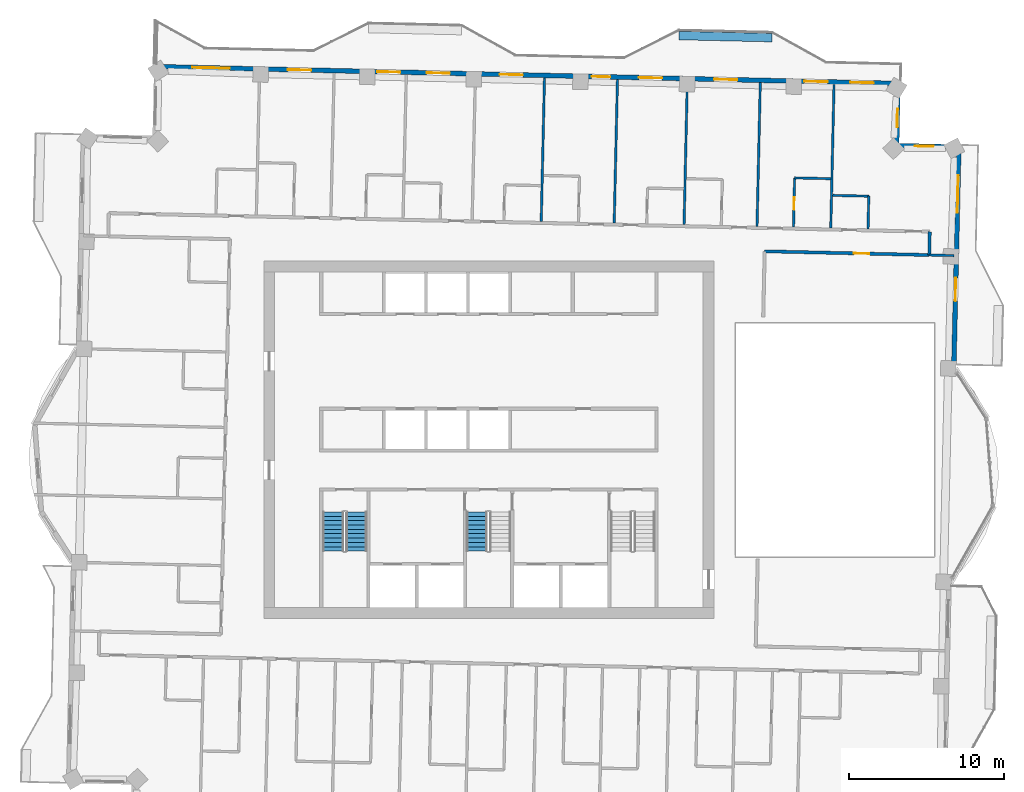
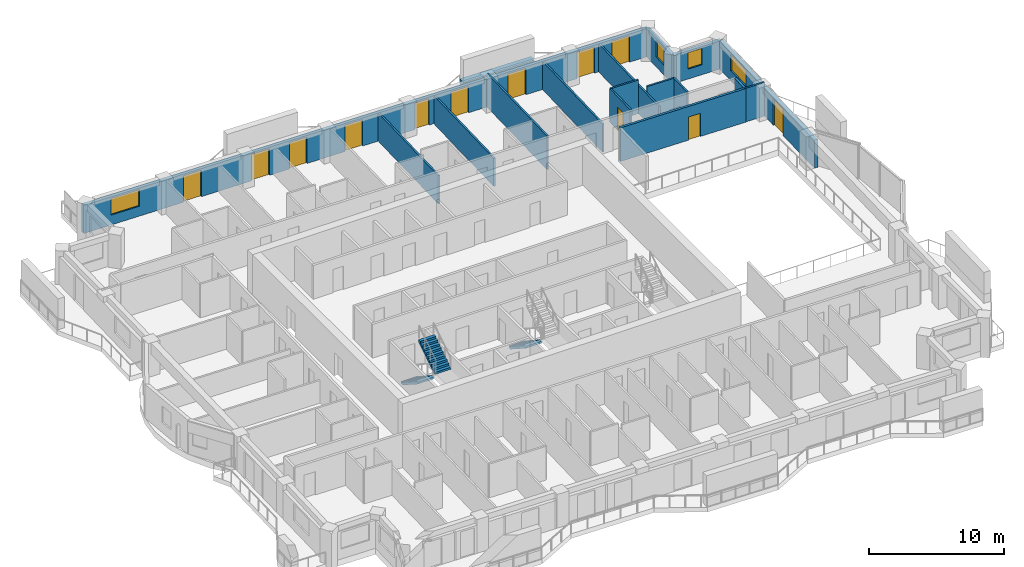
# One storey, part 12 of 17: 17 walls, 12 doors, 4 windows, 3 stair flights, 16 openings, 2 elements without a shape of their own.
"""IFC4 building model written with IfcOpenShell, lengths in metres."""

from ifc_helpers import new_model, si_unit, direction, frame, frame_2d, origin, place, context, subcontext, project, spatial, polyline, rectangle, outline, extrude, material, layer, layer_set, type_object, element, fill, aggregate, save


model = new_model("IFC4")

# Units and contexts
model_context = context("Model", 3, precision=1e-05, world=origin(), true_north=direction((0.0, 1.0)))
body_context = subcontext(model_context, "Body", "Model", "MODEL_VIEW")
ifc_project = project(units=[si_unit("LENGTHUNIT", "METRE"), si_unit("AREAUNIT", "SQUARE_METRE"), si_unit("VOLUMEUNIT", "CUBIC_METRE"), si_unit("PLANEANGLEUNIT", "RADIAN"), si_unit("MASSUNIT", "GRAM", prefix="KILO")], contexts=[model_context])

# Site, building, storey
site_placement = place(None, origin())
site = spatial("IfcSite", under=ifc_project, at=site_placement, CompositionType="ELEMENT")
building_placement = place(site_placement, origin())
building = spatial("IfcBuilding", under=site, at=building_placement, Name="Mangrove Gate Tower", CompositionType="ELEMENT")
storey_placement = place(building_placement, frame((0.0, 0.0, 257.300048828125)))
storey = spatial("IfcBuildingStorey", under=building, at=storey_placement, Name="L65", CompositionType="ELEMENT", Elevation=257.300048828125)

# Wall, opening, door
ifc_material_1 = material(Name="Gypsum board on steel stud, EI 60", Category="steel")
ifc_layer_1 = layer(ifc_material_1, 0.199951171875)
ifc_layer_set_1 = layer_set([ifc_layer_1], Name="Corridor wall EI 60")
wall_type_1 = type_object("IfcWallType", Name="Corridor wall EI 60", PredefinedType="PARTITIONING", material=ifc_layer_set_1)
wall_1_placement = place(storey_placement, frame((17.7529296875, 12.136962890625, 0.0), z_axis=(0.0, 0.0, 1.0), x_axis=(0.999743663474, -0.022640833553, 0.0)))
wall_1 = element("IfcWall", 1, at=wall_1_placement, inside=storey, type_object=wall_type_1, Name="WALL-L65-057", PredefinedType="PARTITIONING", context=body_context, shape_type="SweptSolid", body=[
    extrude(rectangle(XDim=10.599853515625, YDim=0.199951171875, at=frame_2d((5.2998046875, 0.0))), origin(), (0.0, 0.0, 1.0), 3.050048828125),
])
opening_1_placement = place(wall_1_placement, frame((5.75, 0.0, 0.0)))
opening_1 = element("IfcOpeningElement", 2, at=opening_1_placement, cuts=wall_1, Name="Opening AD", PredefinedType="OPENING", context=body_context, shape_type="SweptSolid", body=[
    extrude(rectangle(XDim=1.0, YDim=2.10009765625, at=frame_2d((0.5, 1.050048828125))), frame((0.0, 0.10986328125, 0.0), z_axis=(0.0, -1.0, 0.0), x_axis=(1.0, 0.0, 0.0)), (0.0, 0.0, 1.0), 0.219970703125),
])
ifc_material_2 = material(Name="Timber door leaf", Category="wood")
door_type_1 = type_object("IfcDoorType", Name="Amenity door 1000", OperationType="SINGLE_SWING_LEFT", PredefinedType="DOOR", material=ifc_material_2)
door_1_placement = place(opening_1_placement, origin())
door_1 = element("IfcDoor", 3, at=door_1_placement, inside=storey, type_object=door_type_1, Name="DOOR-L65-LNG-c3b", OperationType="SINGLE_SWING_RIGHT", OverallHeight=2.10009765625, OverallWidth=1.0, PredefinedType="DOOR", context=body_context, shape_type="SweptSolid", body=[
    extrude(rectangle(XDim=1.0, YDim=2.10009765625, at=frame_2d((0.5, 1.050048828125))), frame((0.0, 0.02490234375, 0.0), z_axis=(0.0, -1.0, 0.0), x_axis=(1.0, 0.0, 0.0)), (0.0, 0.0, 1.0), 0.050048828125),
])
fill(opening_1, door_1)

# Wall
wall_2_placement = place(storey_placement, frame((28.35400390625, 11.89697265625, 0.0), z_axis=(0.0, 0.0, 1.0), x_axis=(0.022632637625, 0.99974384905, 0.0)))
element("IfcWall", 4, at=wall_2_placement, inside=storey, type_object=wall_type_1, Name="WALL-L65-059", PredefinedType="PARTITIONING", context=body_context, shape_type="SweptSolid", body=[
    extrude(rectangle(XDim=1.49951171875, YDim=0.199951171875, at=frame_2d((0.749755859375, 0.0))), origin(), (0.0, 0.0, 1.0), 3.050048828125),
])

# Wall, openings, door, window
ifc_material_3 = material(Name="Limestone", Category="masonry")
ifc_layer_2 = layer(ifc_material_3, 0.0400390625, Name="Limestone cladding")
ifc_material_4 = material(Name="Ventilated air gap")
ifc_layer_3 = layer(ifc_material_4, 0.0400390625, Name="Ventilated cavity")
ifc_material_5 = material(Name="Mineral wool insulation")
ifc_layer_4 = layer(ifc_material_5, 0.06005859375, Name="Insulation")
ifc_material_6 = material(Name="Breather membrane")
ifc_layer_5 = layer(ifc_material_6, 0.001953125, Name="Breather membrane")
ifc_material_7 = material(Name="Concrete C20/25 blockwork", Category="masonry")
ifc_layer_6 = layer(ifc_material_7, 0.14990234375, Name="Blockwork backing wall")
ifc_material_8 = material(Name="Gypsum plaster")
ifc_layer_7 = layer(ifc_material_8, 0.008056640625, Name="Internal plaster")
ifc_layer_set_2 = layer_set([ifc_layer_2, ifc_layer_3, ifc_layer_4, ifc_layer_5, ifc_layer_6, ifc_layer_7], Name="External wall 300 limestone cladding")
wall_type_2 = type_object("IfcWallType", Name="External wall 300 limestone cladding", PredefinedType="SOLIDWALL", material=ifc_layer_set_2)
wall_3_placement = place(storey_placement, frame((29.923095703125, 4.0849609375, 0.0), z_axis=(0.0, 0.0, 1.0), x_axis=(0.022738672774, 0.999741442954, 0.0)))
wall_3 = element("IfcWall", 5, at=wall_3_placement, inside=storey, type_object=wall_type_2, Name="WALL-L65-E2s1", PredefinedType="SOLIDWALL", context=body_context, shape_type="SweptSolid", body=[
    extrude(rectangle(XDim=14.77392578125, YDim=0.300048828125, at=frame_2d((7.386962890625, 0.0))), origin(), (0.0, 0.0, 1.0), 2.550048828125),
])
opening_2_placement = place(wall_3_placement, frame((4.85302734375, 0.0, 0.0)))
opening_2 = element("IfcOpeningElement", 6, at=opening_2_placement, cuts=wall_3, Name="Opening BD1", PredefinedType="OPENING", context=body_context, shape_type="SweptSolid", body=[
    extrude(rectangle(XDim=1.5, YDim=2.39990234375, at=frame_2d((0.75, 1.199951171875))), frame((0.0, 0.159912109375, 0.0), z_axis=(0.0, -1.0, 0.0), x_axis=(1.0, 0.0, 0.0)), (0.0, 0.0, 1.0), 0.320068359375),
])
opening_3_placement = place(wall_3_placement, frame((10.5380859375, 0.0, 0.89990234375)))
opening_3 = element("IfcOpeningElement", 7, at=opening_3_placement, cuts=wall_3, Name="Opening W2", PredefinedType="OPENING", context=body_context, shape_type="SweptSolid", body=[
    extrude(rectangle(XDim=2.39990234375, YDim=1.5, at=frame_2d((1.199951171875, 0.75))), frame((0.0, 0.159912109375, 0.0), z_axis=(0.0, -1.0, 0.0), x_axis=(1.0, 0.0, 0.0)), (0.0, 0.0, 1.0), 0.320068359375),
])
ifc_material_9 = material(Name="Aluminium frame with laminated clear glass", Category="aluminium")
door_type_2 = type_object("IfcDoorType", Name="Balcony sliding door 1500x2400", OperationType="SLIDING_TO_LEFT", PredefinedType="DOOR", material=ifc_material_9)
door_2_placement = place(opening_2_placement, origin())
door_2 = element("IfcDoor", 8, at=door_2_placement, inside=storey, type_object=door_type_2, Name="DOOR-L65-E2-1", OperationType="SLIDING_TO_LEFT", OverallHeight=2.39990234375, OverallWidth=1.5, PredefinedType="DOOR", context=body_context, shape_type="SweptSolid", body=[
    extrude(rectangle(XDim=1.5, YDim=2.39990234375, at=frame_2d((0.75, 1.199951171875))), frame((0.0, 0.02490234375, 0.0), z_axis=(0.0, -1.0, 0.0), x_axis=(1.0, 0.0, 0.0)), (0.0, 0.0, 1.0), 0.050048828125),
])
fill(opening_2, door_2)
ifc_material_10 = material(Name="Aluminium frame with double-glazed low-e glass", Category="aluminium")
window_type_1 = type_object("IfcWindowType", Name="Corner room window 2400x1500", PartitioningType="DOUBLE_PANEL_VERTICAL", PredefinedType="WINDOW", material=ifc_material_10)
window_1_placement = place(opening_3_placement, origin())
window_1 = element("IfcWindow", 9, at=window_1_placement, inside=storey, type_object=window_type_1, Name="WIN-L65-E2-2", OverallHeight=1.5, OverallWidth=2.39990234375, PartitioningType="DOUBLE_PANEL_VERTICAL", PredefinedType="WINDOW", context=body_context, shape_type="SweptSolid", body=[
    extrude(rectangle(XDim=2.39990234375, YDim=1.5, at=frame_2d((1.199951171875, 0.75))), frame((0.0, 0.030029296875, 0.0), z_axis=(0.0, -1.0, 0.0), x_axis=(1.0, 0.0, 0.0)), (0.0, 0.0, 1.0), 0.06005859375),
])
fill(opening_3, window_1)

# Wall, opening, window
wall_4_placement = place(storey_placement, frame((30.259033203125, 18.85498046875, 0.0), z_axis=(0.0, 0.0, 1.0), x_axis=(-0.999740826251, 0.022765770952, 0.0)))
wall_4 = element("IfcWall", 10, at=wall_4_placement, inside=storey, type_object=wall_type_2, Name="WALL-L65-N3", PredefinedType="SOLIDWALL", context=body_context, shape_type="SweptSolid", body=[
    extrude(rectangle(XDim=4.0, YDim=0.300048828125, at=frame_2d((2.0, 0.0))), origin(), (0.0, 0.0, 1.0), 2.550048828125),
])
opening_4_placement = place(wall_4_placement, frame((1.632080078125, 0.0, 0.89990234375)))
opening_4 = element("IfcOpeningElement", 11, at=opening_4_placement, cuts=wall_4, Name="Opening W1", PredefinedType="OPENING", context=body_context, shape_type="SweptSolid", body=[
    extrude(rectangle(XDim=1.199951171875, YDim=1.5, at=frame_2d((0.60009765625, 0.75))), frame((0.0, 0.159912109375, 0.0), z_axis=(0.0, -1.0, 0.0), x_axis=(1.0, 0.0, 0.0)), (0.0, 0.0, 1.0), 0.320068359375),
])
ifc_material_11 = material(Name="Aluminium frame with double-glazed low-e glass", Category="aluminium")
window_type_2 = type_object("IfcWindowType", Name="Side lite 1200x1500", PartitioningType="SINGLE_PANEL", PredefinedType="WINDOW", material=ifc_material_11)
window_2_placement = place(opening_4_placement, origin())
window_2 = element("IfcWindow", 12, at=window_2_placement, inside=storey, type_object=window_type_2, Name="WIN-L65-N3-1", OverallHeight=1.5, OverallWidth=1.199951171875, PartitioningType="SINGLE_PANEL", PredefinedType="WINDOW", context=body_context, shape_type="SweptSolid", body=[
    extrude(rectangle(XDim=1.199951171875, YDim=1.5, at=frame_2d((0.60009765625, 0.75))), frame((0.0, 0.030029296875, 0.0), z_axis=(0.0, -1.0, 0.0), x_axis=(1.0, 0.0, 0.0)), (0.0, 0.0, 1.0), 0.06005859375),
])
fill(opening_4, window_2)

wall_5_placement = place(storey_placement, frame((26.260009765625, 18.946044921875, 0.0), z_axis=(0.0, 0.0, 1.0), x_axis=(0.022521758502, 0.999746353029, 0.0)))
wall_5 = element("IfcWall", 13, at=wall_5_placement, inside=storey, type_object=wall_type_2, Name="WALL-L65-E4", PredefinedType="SOLIDWALL", context=body_context, shape_type="SweptSolid", body=[
    extrude(rectangle(XDim=4.0, YDim=0.300048828125, at=frame_2d((2.0, 0.0))), origin(), (0.0, 0.0, 1.0), 2.550048828125),
])
opening_5_placement = place(wall_5_placement, frame((1.1689453125, 0.0, 0.89990234375)))
opening_5 = element("IfcOpeningElement", 14, at=opening_5_placement, cuts=wall_5, Name="Opening W1", PredefinedType="OPENING", context=body_context, shape_type="SweptSolid", body=[
    extrude(rectangle(XDim=1.199951171875, YDim=1.5, at=frame_2d((0.60009765625, 0.75))), frame((0.0, 0.159912109375, 0.0), z_axis=(0.0, -1.0, 0.0), x_axis=(1.0, 0.0, 0.0)), (0.0, 0.0, 1.0), 0.320068359375),
])
window_3_placement = place(opening_5_placement, origin())
window_3 = element("IfcWindow", 15, at=window_3_placement, inside=storey, type_object=window_type_2, Name="WIN-L65-E4-1", OverallHeight=1.5, OverallWidth=1.199951171875, PartitioningType="SINGLE_PANEL", PredefinedType="WINDOW", context=body_context, shape_type="SweptSolid", body=[
    extrude(rectangle(XDim=1.199951171875, YDim=1.5, at=frame_2d((0.60009765625, 0.75))), frame((0.0, 0.030029296875, 0.0), z_axis=(0.0, -1.0, 0.0), x_axis=(1.0, 0.0, 0.0)), (0.0, 0.0, 1.0), 0.06005859375),
])
fill(opening_5, window_3)

# Wall, openings, doors, window
wall_6_placement = place(storey_placement, frame((26.35009765625, 22.945068359375, 0.0), z_axis=(0.0, 0.0, 1.0), x_axis=(-0.999742523712, 0.022691105788, 0.0)))
wall_6 = element("IfcWall", 16, at=wall_6_placement, inside=storey, type_object=wall_type_2, Name="WALL-L65-N5", PredefinedType="SOLIDWALL", context=body_context, shape_type="SweptSolid", body=[
    extrude(rectangle(XDim=47.771240234375, YDim=0.300048828125, at=frame_2d((23.8857421875, 0.0))), origin(), (0.0, 0.0, 1.0), 2.550048828125),
])
opening_6_placement = place(wall_6_placement, frame((1.577880859375, 0.0, 0.0)))
opening_6 = element("IfcOpeningElement", 17, at=opening_6_placement, cuts=wall_6, Name="Opening BD1", PredefinedType="OPENING", context=body_context, shape_type="SweptSolid", body=[
    extrude(rectangle(XDim=1.5, YDim=2.39990234375, at=frame_2d((0.75, 1.199951171875))), frame((0.0, 0.159912109375, 0.0), z_axis=(0.0, -1.0, 0.0), x_axis=(1.0, 0.0, 0.0)), (0.0, 0.0, 1.0), 0.320068359375),
])
opening_7_placement = place(wall_6_placement, frame((4.544921875, 0.0, 0.0)))
opening_7 = element("IfcOpeningElement", 18, at=opening_7_placement, cuts=wall_6, Name="Opening BD1", PredefinedType="OPENING", context=body_context, shape_type="SweptSolid", body=[
    extrude(rectangle(XDim=1.5, YDim=2.39990234375, at=frame_2d((0.75, 1.199951171875))), frame((0.0, 0.159912109375, 0.0), z_axis=(0.0, -1.0, 0.0), x_axis=(1.0, 0.0, 0.0)), (0.0, 0.0, 1.0), 0.320068359375),
])
opening_8_placement = place(wall_6_placement, frame((10.35400390625, 0.0, 0.0)))
opening_8 = element("IfcOpeningElement", 19, at=opening_8_placement, cuts=wall_6, Name="Opening BD1", PredefinedType="OPENING", context=body_context, shape_type="SweptSolid", body=[
    extrude(rectangle(XDim=1.5, YDim=2.39990234375, at=frame_2d((0.75, 1.199951171875))), frame((0.0, 0.159912109375, 0.0), z_axis=(0.0, -1.0, 0.0), x_axis=(1.0, 0.0, 0.0)), (0.0, 0.0, 1.0), 0.320068359375),
])
opening_9_placement = place(wall_6_placement, frame((15.2041015625, 0.0, 0.0)))
opening_9 = element("IfcOpeningElement", 20, at=opening_9_placement, cuts=wall_6, Name="Opening BD1", PredefinedType="OPENING", context=body_context, shape_type="SweptSolid", body=[
    extrude(rectangle(XDim=1.5, YDim=2.39990234375, at=frame_2d((0.75, 1.199951171875))), frame((0.0, 0.159912109375, 0.0), z_axis=(0.0, -1.0, 0.0), x_axis=(1.0, 0.0, 0.0)), (0.0, 0.0, 1.0), 0.320068359375),
])
opening_10_placement = place(wall_6_placement, frame((18.537109375, 0.0, 0.0)))
opening_10 = element("IfcOpeningElement", 21, at=opening_10_placement, cuts=wall_6, Name="Opening BD2", PredefinedType="OPENING", context=body_context, shape_type="SweptSolid", body=[
    extrude(rectangle(XDim=1.199951171875, YDim=2.39990234375, at=frame_2d((0.60009765625, 1.199951171875))), frame((0.0, 0.159912109375, 0.0), z_axis=(0.0, -1.0, 0.0), x_axis=(1.0, 0.0, 0.0)), (0.0, 0.0, 1.0), 0.320068359375),
])
opening_11_placement = place(wall_6_placement, frame((24.1708984375, 0.0, 0.0)))
opening_11 = element("IfcOpeningElement", 22, at=opening_11_placement, cuts=wall_6, Name="Opening BD1", PredefinedType="OPENING", context=body_context, shape_type="SweptSolid", body=[
    extrude(rectangle(XDim=1.5, YDim=2.39990234375, at=frame_2d((0.75, 1.199951171875))), frame((0.0, 0.159912109375, 0.0), z_axis=(0.0, -1.0, 0.0), x_axis=(1.0, 0.0, 0.0)), (0.0, 0.0, 1.0), 0.320068359375),
])
opening_12_placement = place(wall_6_placement, frame((28.87109375, 0.0, 0.0)))
opening_12 = element("IfcOpeningElement", 23, at=opening_12_placement, cuts=wall_6, Name="Opening BD1", PredefinedType="OPENING", context=body_context, shape_type="SweptSolid", body=[
    extrude(rectangle(XDim=1.5, YDim=2.39990234375, at=frame_2d((0.75, 1.199951171875))), frame((0.0, 0.159912109375, 0.0), z_axis=(0.0, -1.0, 0.0), x_axis=(1.0, 0.0, 0.0)), (0.0, 0.0, 1.0), 0.320068359375),
])
opening_13_placement = place(wall_6_placement, frame((32.054931640625, 0.0, 0.0)))
opening_13 = element("IfcOpeningElement", 24, at=opening_13_placement, cuts=wall_6, Name="Opening BD1", PredefinedType="OPENING", context=body_context, shape_type="SweptSolid", body=[
    extrude(rectangle(XDim=1.5, YDim=2.39990234375, at=frame_2d((0.75, 1.199951171875))), frame((0.0, 0.159912109375, 0.0), z_axis=(0.0, -1.0, 0.0), x_axis=(1.0, 0.0, 0.0)), (0.0, 0.0, 1.0), 0.320068359375),
])
opening_14_placement = place(wall_6_placement, frame((37.81298828125, 0.0, 0.0)))
opening_14 = element("IfcOpeningElement", 25, at=opening_14_placement, cuts=wall_6, Name="Opening BD1", PredefinedType="OPENING", context=body_context, shape_type="SweptSolid", body=[
    extrude(rectangle(XDim=1.5, YDim=2.39990234375, at=frame_2d((0.75, 1.199951171875))), frame((0.0, 0.159912109375, 0.0), z_axis=(0.0, -1.0, 0.0), x_axis=(1.0, 0.0, 0.0)), (0.0, 0.0, 1.0), 0.320068359375),
])
opening_15_placement = place(wall_6_placement, frame((43.052001953125, 0.0, 0.89990234375)))
opening_15 = element("IfcOpeningElement", 26, at=opening_15_placement, cuts=wall_6, Name="Opening W2", PredefinedType="OPENING", context=body_context, shape_type="SweptSolid", body=[
    extrude(rectangle(XDim=2.39990234375, YDim=1.5, at=frame_2d((1.199951171875, 0.75))), frame((0.0, 0.159912109375, 0.0), z_axis=(0.0, -1.0, 0.0), x_axis=(1.0, 0.0, 0.0)), (0.0, 0.0, 1.0), 0.320068359375),
])
ifc_material_12 = material(Name="Aluminium frame with laminated clear glass", Category="aluminium")
door_type_3 = type_object("IfcDoorType", Name="Balcony sliding door 1200x2400", OperationType="SLIDING_TO_LEFT", PredefinedType="DOOR", material=ifc_material_12)
door_3_placement = place(opening_10_placement, origin())
door_3 = element("IfcDoor", 27, at=door_3_placement, inside=storey, type_object=door_type_3, Name="DOOR-L65-N5-5", OperationType="SLIDING_TO_LEFT", OverallHeight=2.39990234375, OverallWidth=1.199951171875, PredefinedType="DOOR", context=body_context, shape_type="SweptSolid", body=[
    extrude(rectangle(XDim=1.199951171875, YDim=2.39990234375, at=frame_2d((0.60009765625, 1.199951171875))), frame((0.0, 0.02490234375, 0.0), z_axis=(0.0, -1.0, 0.0), x_axis=(1.0, 0.0, 0.0)), (0.0, 0.0, 1.0), 0.050048828125),
])
fill(opening_10, door_3)
door_4_placement = place(opening_6_placement, origin())
door_4 = element("IfcDoor", 28, at=door_4_placement, inside=storey, type_object=door_type_2, Name="DOOR-L65-N5-1", OperationType="SLIDING_TO_LEFT", OverallHeight=2.39990234375, OverallWidth=1.5, PredefinedType="DOOR", context=body_context, shape_type="SweptSolid", body=[
    extrude(rectangle(XDim=1.5, YDim=2.39990234375, at=frame_2d((0.75, 1.199951171875))), frame((0.0, 0.02490234375, 0.0), z_axis=(0.0, -1.0, 0.0), x_axis=(1.0, 0.0, 0.0)), (0.0, 0.0, 1.0), 0.050048828125),
])
fill(opening_6, door_4)
door_5_placement = place(opening_7_placement, origin())
door_5 = element("IfcDoor", 29, at=door_5_placement, inside=storey, type_object=door_type_2, Name="DOOR-L65-N5-2", OperationType="SLIDING_TO_LEFT", OverallHeight=2.39990234375, OverallWidth=1.5, PredefinedType="DOOR", context=body_context, shape_type="SweptSolid", body=[
    extrude(rectangle(XDim=1.5, YDim=2.39990234375, at=frame_2d((0.75, 1.199951171875))), frame((0.0, 0.02490234375, 0.0), z_axis=(0.0, -1.0, 0.0), x_axis=(1.0, 0.0, 0.0)), (0.0, 0.0, 1.0), 0.050048828125),
])
fill(opening_7, door_5)
door_6_placement = place(opening_8_placement, origin())
door_6 = element("IfcDoor", 30, at=door_6_placement, inside=storey, type_object=door_type_2, Name="DOOR-L65-N5-3", OperationType="SLIDING_TO_LEFT", OverallHeight=2.39990234375, OverallWidth=1.5, PredefinedType="DOOR", context=body_context, shape_type="SweptSolid", body=[
    extrude(rectangle(XDim=1.5, YDim=2.39990234375, at=frame_2d((0.75, 1.199951171875))), frame((0.0, 0.02490234375, 0.0), z_axis=(0.0, -1.0, 0.0), x_axis=(1.0, 0.0, 0.0)), (0.0, 0.0, 1.0), 0.050048828125),
])
fill(opening_8, door_6)
door_7_placement = place(opening_9_placement, origin())
door_7 = element("IfcDoor", 31, at=door_7_placement, inside=storey, type_object=door_type_2, Name="DOOR-L65-N5-4", OperationType="SLIDING_TO_LEFT", OverallHeight=2.39990234375, OverallWidth=1.5, PredefinedType="DOOR", context=body_context, shape_type="SweptSolid", body=[
    extrude(rectangle(XDim=1.5, YDim=2.39990234375, at=frame_2d((0.75, 1.199951171875))), frame((0.0, 0.02490234375, 0.0), z_axis=(0.0, -1.0, 0.0), x_axis=(1.0, 0.0, 0.0)), (0.0, 0.0, 1.0), 0.050048828125),
])
fill(opening_9, door_7)
door_8_placement = place(opening_11_placement, origin())
door_8 = element("IfcDoor", 32, at=door_8_placement, inside=storey, type_object=door_type_2, Name="DOOR-L65-N5-6", OperationType="SLIDING_TO_LEFT", OverallHeight=2.39990234375, OverallWidth=1.5, PredefinedType="DOOR", context=body_context, shape_type="SweptSolid", body=[
    extrude(rectangle(XDim=1.5, YDim=2.39990234375, at=frame_2d((0.75, 1.199951171875))), frame((0.0, 0.02490234375, 0.0), z_axis=(0.0, -1.0, 0.0), x_axis=(1.0, 0.0, 0.0)), (0.0, 0.0, 1.0), 0.050048828125),
])
fill(opening_11, door_8)
door_9_placement = place(opening_12_placement, origin())
door_9 = element("IfcDoor", 33, at=door_9_placement, inside=storey, type_object=door_type_2, Name="DOOR-L65-N5-7", OperationType="SLIDING_TO_LEFT", OverallHeight=2.39990234375, OverallWidth=1.5, PredefinedType="DOOR", context=body_context, shape_type="SweptSolid", body=[
    extrude(rectangle(XDim=1.5, YDim=2.39990234375, at=frame_2d((0.75, 1.199951171875))), frame((0.0, 0.02490234375, 0.0), z_axis=(0.0, -1.0, 0.0), x_axis=(1.0, 0.0, 0.0)), (0.0, 0.0, 1.0), 0.050048828125),
])
fill(opening_12, door_9)
door_10_placement = place(opening_13_placement, origin())
door_10 = element("IfcDoor", 34, at=door_10_placement, inside=storey, type_object=door_type_2, Name="DOOR-L65-N5-8", OperationType="SLIDING_TO_LEFT", OverallHeight=2.39990234375, OverallWidth=1.5, PredefinedType="DOOR", context=body_context, shape_type="SweptSolid", body=[
    extrude(rectangle(XDim=1.5, YDim=2.39990234375, at=frame_2d((0.75, 1.199951171875))), frame((0.0, 0.02490234375, 0.0), z_axis=(0.0, -1.0, 0.0), x_axis=(1.0, 0.0, 0.0)), (0.0, 0.0, 1.0), 0.050048828125),
])
fill(opening_13, door_10)
door_11_placement = place(opening_14_placement, origin())
door_11 = element("IfcDoor", 35, at=door_11_placement, inside=storey, type_object=door_type_2, Name="DOOR-L65-N5-9", OperationType="SLIDING_TO_LEFT", OverallHeight=2.39990234375, OverallWidth=1.5, PredefinedType="DOOR", context=body_context, shape_type="SweptSolid", body=[
    extrude(rectangle(XDim=1.5, YDim=2.39990234375, at=frame_2d((0.75, 1.199951171875))), frame((0.0, 0.02490234375, 0.0), z_axis=(0.0, -1.0, 0.0), x_axis=(1.0, 0.0, 0.0)), (0.0, 0.0, 1.0), 0.050048828125),
])
fill(opening_14, door_11)
window_4_placement = place(opening_15_placement, origin())
window_4 = element("IfcWindow", 36, at=window_4_placement, inside=storey, type_object=window_type_1, Name="WIN-L65-N5-10", OverallHeight=1.5, OverallWidth=2.39990234375, PartitioningType="DOUBLE_PANEL_VERTICAL", PredefinedType="WINDOW", context=body_context, shape_type="SweptSolid", body=[
    extrude(rectangle(XDim=2.39990234375, YDim=1.5, at=frame_2d((1.199951171875, 0.75))), frame((0.0, 0.030029296875, 0.0), z_axis=(0.0, -1.0, 0.0), x_axis=(1.0, 0.0, 0.0)), (0.0, 0.0, 1.0), 0.06005859375),
])
fill(opening_15, window_4)

# Walls
ifc_material_13 = material(Name="Gypsum board on steel stud, EI 60", Category="steel")
ifc_layer_8 = layer(ifc_material_13, 0.14990234375)
ifc_layer_set_3 = layer_set([ifc_layer_8], Name="Party wall 150 EI 60")
wall_type_3 = type_object("IfcWallType", Name="Party wall 150 EI 60", PredefinedType="PARTITIONING", material=ifc_layer_set_3)
wall_7_placement = place(storey_placement, frame((28.35009765625, 11.89697265625, 0.0), z_axis=(0.0, 0.0, 1.0), x_axis=(0.999734618493, -0.023036765969, 0.0)))
element("IfcWall", 37, at=wall_7_placement, inside=storey, type_object=wall_type_3, Name="WALL-L65-058", PredefinedType="PARTITIONING", context=body_context, shape_type="SweptSolid", body=[
    extrude(rectangle(XDim=1.600341796875, YDim=0.14990234375, at=frame_2d((0.80029296875, 0.0))), origin(), (0.0, 0.0, 1.0), 3.050048828125),
])
for number, where, z_axis, x_axis, name in (
    (38, (3.366943359375, 14.06396484375, 0.0), (0.0, 0.0, 1.0), (0.022697424684, 0.999742380272, 0.0), "WALL-L65-070"),
    (39, (8.06591796875, 13.95703125, 0.0), (0.0, 0.0, 1.0), (0.022697424684, 0.999742380272, 0.0), "WALL-L65-072"),
):
    element("IfcWall", number, at=place(storey_placement, frame(where, z_axis=z_axis, x_axis=x_axis)), inside=storey, type_object=wall_type_3, Name=name, PredefinedType="PARTITIONING", context=body_context, shape_type="SweptSolid", body=[
        extrude(rectangle(XDim=9.25048828125, YDim=0.14990234375, at=frame_2d((4.625244140625, 0.0))), origin(), (0.0, 0.0, 1.0), 2.550048828125),
    ])
wall_8_placement = place(storey_placement, frame((12.56494140625, 13.85498046875, 0.0), z_axis=(0.0, 0.0, 1.0), x_axis=(0.022591909275, 0.999744770247, 0.0)))
element("IfcWall", 40, at=wall_8_placement, inside=storey, type_object=wall_type_3, Name="WALL-L65-074", PredefinedType="PARTITIONING", context=body_context, shape_type="SweptSolid", body=[
    extrude(rectangle(XDim=9.25048828125, YDim=0.14990234375, at=frame_2d((4.625244140625, 0.0))), origin(), (0.0, 0.0, 1.0), 3.050048828125),
])
wall_9_placement = place(storey_placement, frame((17.262939453125, 13.7490234375, 0.0), z_axis=(0.0, 0.0, 1.0), x_axis=(0.022699820474, 0.999742325877, 0.0)))
element("IfcWall", 41, at=wall_9_placement, inside=storey, type_object=wall_type_3, Name="WALL-L65-076", PredefinedType="PARTITIONING", context=body_context, shape_type="SweptSolid", body=[
    extrude(rectangle(XDim=9.24951171875, YDim=0.14990234375, at=frame_2d((4.624755859375, 0.0))), origin(), (0.0, 0.0, 1.0), 2.550048828125),
])

# Wall, opening, door
wall_10_placement = place(storey_placement, frame((19.613037109375, 13.695068359375, 0.0), z_axis=(0.0, 0.0, 1.0), x_axis=(0.022721405353, 0.999741835545, 0.0)))
wall_10 = element("IfcWall", 42, at=wall_10_placement, inside=storey, type_object=wall_type_3, Name="WALL-L65-077", PredefinedType="PARTITIONING", context=body_context, shape_type="SweptSolid", body=[
    extrude(rectangle(XDim=3.169677734375, YDim=0.14990234375, at=frame_2d((1.5849609375, 0.0))), origin(), (0.0, 0.0, 1.0), 3.050048828125),
])
opening_16_placement = place(wall_10_placement, frame((1.135009765625, 0.0, 0.0)))
opening_16 = element("IfcOpeningElement", 43, at=opening_16_placement, cuts=wall_10, Name="Opening ED", PredefinedType="OPENING", context=body_context, shape_type="SweptSolid", body=[
    extrude(rectangle(XDim=0.800048828125, YDim=2.10009765625, at=frame_2d((0.39990234375, 1.050048828125))), frame((0.0, 0.0849609375, 0.0), z_axis=(0.0, -1.0, 0.0), x_axis=(1.0, 0.0, 0.0)), (0.0, 0.0, 1.0), 0.169921875),
])
ifc_material_14 = material(Name="Timber door leaf", Category="wood")
door_type_4 = type_object("IfcDoorType", Name="En-suite door 800", OperationType="SINGLE_SWING_LEFT", PredefinedType="DOOR", material=ifc_material_14)
door_12_placement = place(opening_16_placement, origin())
door_12 = element("IfcDoor", 44, at=door_12_placement, inside=storey, type_object=door_type_4, Name="DOOR-L65-ENS-c310", OperationType="SINGLE_SWING_RIGHT", OverallHeight=2.10009765625, OverallWidth=0.800048828125, PredefinedType="DOOR", context=body_context, shape_type="SweptSolid", body=[
    extrude(rectangle(XDim=0.800048828125, YDim=2.10009765625, at=frame_2d((0.39990234375, 1.050048828125))), frame((0.0, 0.02490234375, 0.0), z_axis=(0.0, -1.0, 0.0), x_axis=(1.0, 0.0, 0.0)), (0.0, 0.0, 1.0), 0.050048828125),
])
fill(opening_16, door_12)

# Walls
wall_11_placement = place(storey_placement, frame((22.011962890625, 13.64111328125, 0.0), z_axis=(0.0, 0.0, 1.0), x_axis=(0.022698023584, 0.999742366675, 0.0)))
element("IfcWall", 45, at=wall_11_placement, inside=storey, type_object=wall_type_3, Name="WALL-L65-078", PredefinedType="PARTITIONING", context=body_context, shape_type="SweptSolid", body=[
    extrude(rectangle(XDim=9.250244140625, YDim=0.14990234375, at=frame_2d((4.625, 0.0))), origin(), (0.0, 0.0, 1.0), 2.550048828125),
])
wall_12_placement = place(storey_placement, frame((24.412109375, 13.5859375, 0.0), z_axis=(0.0, 0.0, 1.0), x_axis=(0.022314832676, 0.999750993119, 0.0)))
element("IfcWall", 46, at=wall_12_placement, inside=storey, type_object=wall_type_3, Name="WALL-L65-079", PredefinedType="PARTITIONING", context=body_context, shape_type="SweptSolid", body=[
    extrude(rectangle(XDim=2.1005859375, YDim=0.14990234375, at=frame_2d((1.05029296875, 0.0))), origin(), (0.0, 0.0, 1.0), 3.050048828125),
])
for number, where, z_axis, x_axis, name in (
    (47, (22.138916015625, 15.739013671875, 0.0), (0.0, 0.0, 1.0), (0.999740260747, -0.02279059109, 0.0), "WALL-L65-080"),
    (48, (19.68896484375, 16.864013671875, 0.0), (0.0, 0.0, 1.0), (0.999749744571, -0.022370700241, 0.0), "WALL-L65-088"),
):
    element("IfcWall", number, at=place(storey_placement, frame(where, z_axis=z_axis, x_axis=x_axis)), inside=storey, type_object=wall_type_3, Name=name, PredefinedType="PARTITIONING", context=body_context, shape_type="SweptSolid", body=[
        extrude(rectangle(XDim=2.324462890625, YDim=0.14990234375, at=frame_2d((1.162109375, 0.0))), origin(), (0.0, 0.0, 1.0), 3.050048828125),
    ])
ifc_material_15 = material(Name="Concrete C32/40", Category="concrete")
ifc_layer_9 = layer(ifc_material_15, 0.199951171875, Name="Planter trough wall")
ifc_material_16 = material(Name="Bituminous waterproofing membrane")
ifc_layer_10 = layer(ifc_material_16, 0.0048828125, Name="Waterproofing")
ifc_material_17 = material(Name="Drainage board and gravel")
ifc_layer_11 = layer(ifc_material_17, 0.044921875, Name="Drainage layer")
ifc_material_18 = material(Name="Planting soil")
ifc_layer_12 = layer(ifc_material_18, 0.300048828125, Name="Growing medium")
ifc_layer_set_4 = layer_set([ifc_layer_9, ifc_layer_10, ifc_layer_11, ifc_layer_12], Name="Planter wall 550 C32/40")
wall_type_4 = type_object("IfcWallType", Name="Planter wall 550 C32/40", PredefinedType="USERDEFINED", material=ifc_layer_set_4)
wall_13_placement = place(storey_placement, frame((12.23095703125, 26.031005859375, 0.0), z_axis=(0.0, 0.0, 1.0), x_axis=(0.999743094499, -0.022665943652, 0.0)))
element("IfcWall", 49, at=wall_13_placement, inside=storey, type_object=wall_type_4, Name="PLANTER L65 N0.1", ObjectType="PLANTER", PredefinedType="USERDEFINED", context=body_context, shape_type="SweptSolid", body=[
    extrude(rectangle(XDim=5.99951171875, YDim=0.550048828125, at=frame_2d((2.999755859375, 0.0))), origin(), (0.0, 0.0, 1.0), 0.800048828125),
])

# Stair, stair flights
ifc_material_19 = material(Name="Concrete C40/50", Category="concrete")
stair_type = type_object("IfcStairType", Name="Core stair 1350", PredefinedType="HALF_TURN_STAIR", material=ifc_material_19)
stair_1_placement = place(storey_placement, origin())
stair_1 = element("IfcStair", 50, at=stair_1_placement, inside=storey, type_object=stair_type, Name="L65 Stair 1", PredefinedType="HALF_TURN_STAIR")
ifc_material_20 = material(Name="Concrete C40/50", Category="concrete")
stair_flight_type = type_object("IfcStairFlightType", Name="Core stair flight 1350", PredefinedType="STRAIGHT", material=ifc_material_20)
stair_flight_1_placement = place(storey_placement, frame((-10.02490234375, -4.64990234375, 0.0), z_axis=(0.0, 0.0, 1.0), x_axis=(0.0, -1.0, 0.0)))
stair_flight_1 = element("IfcStairFlight", 51, at=stair_flight_1_placement, type_object=stair_flight_type, Name="ST1 flight 1", NumberOfRisers=10, NumberOfTreads=9, PredefinedType="STRAIGHT", RiserHeight=0.18, TreadLength=0.28, context=body_context, shape_type="SweptSolid", body=[
    extrude(outline(polyline([(0.0, 0.0), (0.0, 0.179931640625), (0.280029296875, 0.179931640625), (0.280029296875, 0.360107421875), (0.56005859375, 0.360107421875), (0.56005859375, 0.5400390625), (0.840087890625, 0.5400390625), (0.840087890625, 0.719970703125), (1.1201171875, 0.719970703125), (1.1201171875, 0.89990234375), (1.39990234375, 0.89990234375), (1.39990234375, 1.080078125), (1.679931640625, 1.080078125), (1.679931640625, 1.260009765625), (1.9599609375, 1.260009765625), (1.9599609375, 1.43994140625), (2.239990234375, 1.43994140625), (2.239990234375, 1.6201171875), (2.52001953125, 1.6201171875), (2.52001953125, 1.800048828125), (2.52001953125, 1.44189453125), (0.277099609375, 0.0), (0.0, 0.0)])), frame((0.0, 0.675048828125, 0.0), z_axis=(0.0, -1.0, 0.0), x_axis=(1.0, 0.0, 0.0)), (0.0, 0.0, 1.0), 1.35009765625),
])
stair_flight_2_placement = place(storey_placement, frame((-8.52490234375, -7.169921875, 1.800048828125), z_axis=(0.0, 0.0, 1.0), x_axis=(0.0, 1.0, 0.0)))
stair_flight_2 = element("IfcStairFlight", 52, at=stair_flight_2_placement, type_object=stair_flight_type, Name="ST1 flight 2", NumberOfRisers=10, NumberOfTreads=9, PredefinedType="STRAIGHT", RiserHeight=0.18, TreadLength=0.28, context=body_context, shape_type="SweptSolid", body=[
    extrude(outline(polyline([(0.0, 0.0), (0.0, 0.179931640625), (0.280029296875, 0.179931640625), (0.280029296875, 0.360107421875), (0.56005859375, 0.360107421875), (0.56005859375, 0.5400390625), (0.840087890625, 0.5400390625), (0.840087890625, 0.719970703125), (1.1201171875, 0.719970703125), (1.1201171875, 0.89990234375), (1.39990234375, 0.89990234375), (1.39990234375, 1.080078125), (1.679931640625, 1.080078125), (1.679931640625, 1.260009765625), (1.9599609375, 1.260009765625), (1.9599609375, 1.43994140625), (2.239990234375, 1.43994140625), (2.239990234375, 1.6201171875), (2.52001953125, 1.6201171875), (2.52001953125, 1.800048828125), (2.52001953125, 1.44189453125), (0.277099609375, 0.0), (0.0, 0.0)])), frame((0.0, 0.675048828125, 0.0), z_axis=(0.0, -1.0, 0.0), x_axis=(1.0, 0.0, 0.0)), (0.0, 0.0, 1.0), 1.35009765625),
])
aggregate(stair_1, [stair_flight_1, stair_flight_2])

# Stair, stair flight
stair_2_placement = place(storey_placement, origin())
stair_2 = element("IfcStair", 53, at=stair_2_placement, inside=storey, type_object=stair_type, Name="L65 Stair 2", PredefinedType="HALF_TURN_STAIR")
stair_flight_3_placement = place(storey_placement, frame((-0.77490234375, -4.64990234375, 0.0), z_axis=(0.0, 0.0, 1.0), x_axis=(0.0, -1.0, 0.0)))
stair_flight_3 = element("IfcStairFlight", 54, at=stair_flight_3_placement, type_object=stair_flight_type, Name="ST2 flight 1", NumberOfRisers=10, NumberOfTreads=9, PredefinedType="STRAIGHT", RiserHeight=0.18, TreadLength=0.28, context=body_context, shape_type="SweptSolid", body=[
    extrude(outline(polyline([(0.0, 0.0), (0.0, 0.179931640625), (0.280029296875, 0.179931640625), (0.280029296875, 0.360107421875), (0.56005859375, 0.360107421875), (0.56005859375, 0.5400390625), (0.840087890625, 0.5400390625), (0.840087890625, 0.719970703125), (1.1201171875, 0.719970703125), (1.1201171875, 0.89990234375), (1.39990234375, 0.89990234375), (1.39990234375, 1.080078125), (1.679931640625, 1.080078125), (1.679931640625, 1.260009765625), (1.9599609375, 1.260009765625), (1.9599609375, 1.43994140625), (2.239990234375, 1.43994140625), (2.239990234375, 1.6201171875), (2.52001953125, 1.6201171875), (2.52001953125, 1.800048828125), (2.52001953125, 1.44189453125), (0.277099609375, 0.0), (0.0, 0.0)])), frame((0.0, 0.675048828125, 0.0), z_axis=(0.0, -1.0, 0.0), x_axis=(1.0, 0.0, 0.0)), (0.0, 0.0, 1.0), 1.35009765625),
])
aggregate(stair_2, [stair_flight_3])

save(model, "model.ifc")
